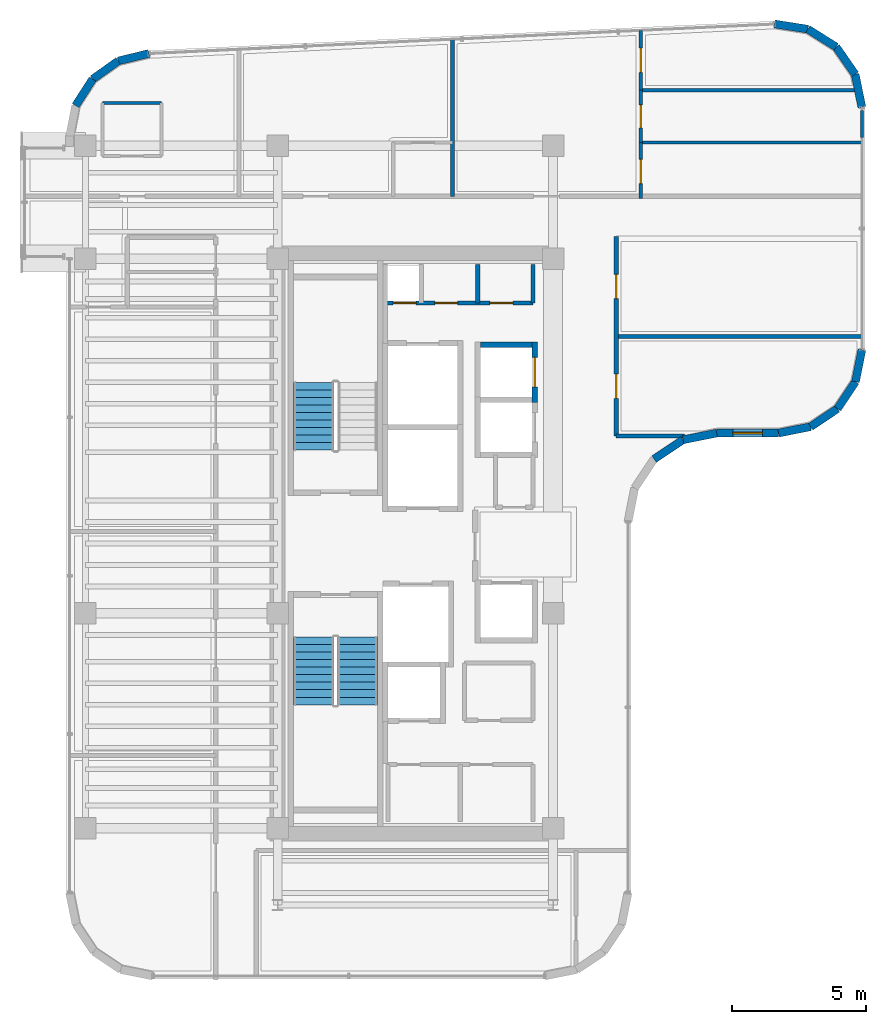
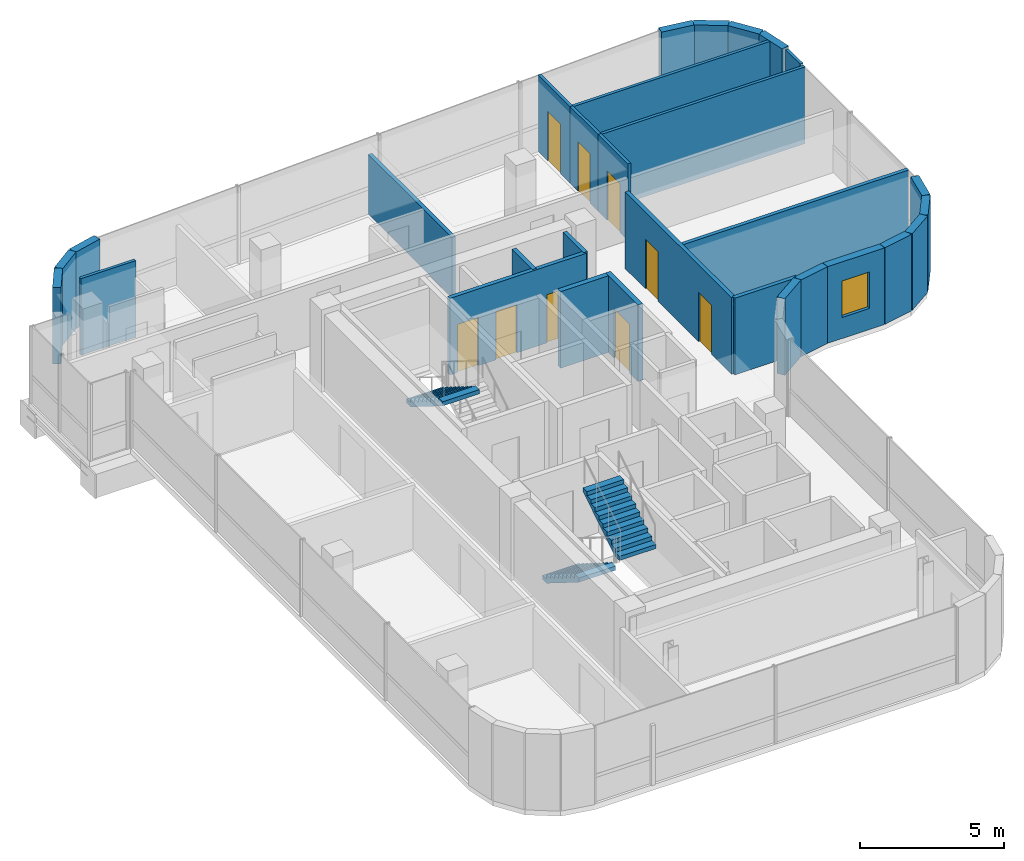
# One storey, part 18 of 21: 30 walls, 9 doors, 3 stair flights, 1 window, 10 openings, 2 elements without a shape of their own.
"""IFC4 building model written with IfcOpenShell, lengths in metres."""

import ifcopenshell
import ifcopenshell.guid

model = None  # the IFC model being written
_history = None  # IfcOwnerHistory: only IFC2X3 demands one
_inside = {}  # id of a spatial element -> (the spatial element, [elements in it])
_under = {}  # id of a project, library or spatial element -> (it, [spatial elements below it])
_declared = {}  # id of a project -> (the project, [libraries it declares])
_typed = {}  # id of a type object -> (the type object, [elements of that type])
_made_of = {}  # id of a material, layer set ... -> (it, [elements and type objects made of it])


def new_model(schema):
    """Start an empty IFC model of exactly this schema.

    Asked for "IFC4X3", IfcOpenShell would pick the latest addendum, in which some entities
    have other attributes; the version numbers below select the first issue.
    IFC2X3 requires an IfcOwnerHistory on every rooted entity: one is made here for all.
    """
    global model, _history
    if schema == "IFC4X3":
        model = ifcopenshell.file(schema_version=(4, 3, 0, 0))
    else:
        model = ifcopenshell.file(schema=schema)
    _inside.clear()
    _under.clear()
    _declared.clear()
    _typed.clear()
    _made_of.clear()
    _history = None
    if model.schema == "IFC2X3":
        org = make("IfcOrganization", Name="unknown")
        user = make(
            "IfcPersonAndOrganization",
            ThePerson=make("IfcPerson", FamilyName="unknown"),
            TheOrganization=org,
        )
        app = make(
            "IfcApplication",
            ApplicationDeveloper=org,
            Version="unknown",
            ApplicationFullName="unknown",
            ApplicationIdentifier="unknown",
        )
        _history = make(
            "IfcOwnerHistory",
            OwningUser=user,
            OwningApplication=app,
            ChangeAction="ADDED",
            CreationDate=0,
        )
    return model


def make(cls, **values):
    """One entity of the class cls with the attributes given. An attribute that is None is left unset."""
    return model.create_entity(
        cls, **{name: value for name, value in values.items() if value is not None}
    )


def rooted(cls, **values):
    """An entity with a GlobalId (a new one), such as an element, a storey or a relation."""
    return make(cls, GlobalId=ifcopenshell.guid.new(), OwnerHistory=_history, **values)


def si_unit(unit_type, name, prefix=None):
    """IfcSIUnit, for example si_unit("LENGTHUNIT", "METRE", prefix="MILLI")."""
    return make("IfcSIUnit", UnitType=unit_type, Prefix=prefix, Name=name)


def assignment(units):
    """IfcUnitAssignment: the units of a project."""
    return None if units is None else make("IfcUnitAssignment", Units=units)


def point(xyz):
    """IfcCartesianPoint."""
    return None if xyz is None else make("IfcCartesianPoint", Coordinates=xyz)


def direction(xyz):
    """IfcDirection."""
    return None if xyz is None else make("IfcDirection", DirectionRatios=xyz)


def frame(location, z_axis=None, x_axis=None):
    """IfcAxis2Placement3D, a coordinate frame: its origin and axes. An axis left out is left unset."""
    return make(
        "IfcAxis2Placement3D",
        Location=point(location),
        Axis=direction(z_axis),
        RefDirection=direction(x_axis),
    )


def frame_2d(location, x_axis=None):
    """IfcAxis2Placement2D, a coordinate frame in the plane: its origin and x axis."""
    return make(
        "IfcAxis2Placement2D", Location=point(location), RefDirection=direction(x_axis)
    )


def origin():
    """The frame at (0, 0, 0) with its axes left unset."""
    return frame((0.0, 0.0, 0.0))


def place(relative_to, where):
    """IfcLocalPlacement: puts the frame where relative to a parent placement (None: the world)."""
    return make(
        "IfcLocalPlacement", PlacementRelTo=relative_to, RelativePlacement=where
    )


def context(
    kind, dimensions, precision=None, world=None, true_north=None, identifier=None
):
    """IfcGeometricRepresentationContext, for example the 3D "Model" context."""
    return make(
        "IfcGeometricRepresentationContext",
        ContextIdentifier=identifier,
        ContextType=kind,
        CoordinateSpaceDimension=dimensions,
        Precision=precision,
        WorldCoordinateSystem=world,
        TrueNorth=true_north,
    )


def subcontext(parent, identifier, kind, view, scale=None):
    """IfcGeometricRepresentationSubContext, for example "Body" below "Model"."""
    return make(
        "IfcGeometricRepresentationSubContext",
        ContextIdentifier=identifier,
        ContextType=kind,
        ParentContext=parent,
        TargetScale=scale,
        TargetView=view,
    )


def project(units=None, contexts=None):
    """IfcProject with its units and contexts."""
    return rooted(
        "IfcProject",
        Name="project",
        RepresentationContexts=contexts,
        UnitsInContext=assignment(units),
    )


def spatial(cls, under=None, at=None, **own):
    """A site, building, storey or space (cls), placed at a placement, below another one or the project."""
    s = rooted(cls, ObjectPlacement=at, **own)
    if under is not None:
        _under.setdefault(under.id(), (under, []))[1].append(s)
    return s


def polyline(points):
    """IfcPolyline through the points."""
    return make("IfcPolyline", Points=[point(p) for p in points])


def profile(cls, at=None, kind="AREA", **sizes):
    """A parametric profile (cls). Its sizes go by their IFC names, for example OverallWidth=200.0."""
    return make(cls, ProfileType=kind, Position=at, **sizes)


def rectangle(**sizes):
    """IfcRectangleProfileDef."""
    return profile("IfcRectangleProfileDef", **sizes)


def outline(outer, holes=None, kind="AREA"):
    """IfcArbitraryClosedProfileDef: a profile drawn as a closed curve; with holes, ...WithVoids."""
    if holes is None:
        return make("IfcArbitraryClosedProfileDef", ProfileType=kind, OuterCurve=outer)
    return make(
        "IfcArbitraryProfileDefWithVoids",
        ProfileType=kind,
        OuterCurve=outer,
        InnerCurves=holes,
    )


def extrude(swept, where, along, depth):
    """IfcExtrudedAreaSolid: the profile swept, set in the frame where, extruded along a direction by depth."""
    return make(
        "IfcExtrudedAreaSolid",
        SweptArea=swept,
        Position=where,
        ExtrudedDirection=direction(along),
        Depth=depth,
    )


def shape(context_of_items, identifier, shape_type, items):
    """IfcShapeRepresentation: the items that make up one representation, for example the "Body"."""
    return make(
        "IfcShapeRepresentation",
        ContextOfItems=context_of_items,
        RepresentationIdentifier=identifier,
        RepresentationType=shape_type,
        Items=items,
    )


def material(Name=None, Category=None):
    """IfcMaterial."""
    return make("IfcMaterial", Name=Name, Category=Category)


def layer(
    of_material, thickness, ventilated=None, Name=None, Category=None, Priority=None
):
    """IfcMaterialLayer: one layer of a wall or slab, of a material (None: an air gap)."""
    return make(
        "IfcMaterialLayer",
        Material=of_material,
        LayerThickness=thickness,
        IsVentilated=ventilated,
        Name=Name,
        Category=Category,
        Priority=Priority,
    )


def layer_set(layers, Name=None):
    """IfcMaterialLayerSet."""
    return make("IfcMaterialLayerSet", MaterialLayers=layers, LayerSetName=Name)


def made_of(thing, what):
    """Note that an element or type object is made of a material, layer set ...; save() writes the relation."""
    if what is not None:
        _made_of.setdefault(what.id(), (what, []))[1].append(thing)
    return thing


def type_object(cls, material=None, **own):
    """A type object (cls), such as IfcWallType, which elements share."""
    return made_of(rooted(cls, **own), material)


def element(
    cls,
    number,
    at=None,
    inside=None,
    cuts=None,
    type_object=None,
    material=None,
    context=None,
    identifier="Body",
    shape_type=None,
    held_by="IfcProductDefinitionShape",
    body=None,
    shapes=None,
    **own,
):
    """One element of the class cls, such as IfcWall. Its Tag is "e" and its number.

    at: its placement. inside: the storey or other place that contains it. cuts: it is an
    opening in that element (IfcRelVoidsElement). A single representation is given by context,
    identifier, shape_type and body (its items); several are given by shapes. held_by: the class
    of the entity that holds the representations. save() writes the other relations.
    """
    e = rooted(cls, Tag="e%d" % number, ObjectPlacement=at, **own)
    if body is not None:
        shapes = [shape(context, identifier, shape_type, body)]
    if shapes is not None:
        e.Representation = make(held_by, Representations=shapes)
    if inside is not None:
        _inside.setdefault(inside.id(), (inside, []))[1].append(e)
    if cuts is not None:
        rooted(
            "IfcRelVoidsElement", RelatingBuildingElement=cuts, RelatedOpeningElement=e
        )
    if type_object is not None:
        _typed.setdefault(type_object.id(), (type_object, []))[1].append(e)
    return made_of(e, material)


def fill(opening, filler):
    """IfcRelFillsElement: the door or window that sits in an opening."""
    return rooted(
        "IfcRelFillsElement",
        RelatingOpeningElement=opening,
        RelatedBuildingElement=filler,
    )


def aggregate(whole, parts):
    """IfcRelAggregates: a whole, such as a stair, and the parts it consists of."""
    return rooted("IfcRelAggregates", RelatingObject=whole, RelatedObjects=parts)


def save(model, path):
    """Write the relations noted so far, then the file.

    IfcRelAggregates (storeys below a building ...), IfcRelContainedInSpatialStructure (elements
    in a storey), IfcRelDefinesByType, IfcRelAssociatesMaterial and IfcRelDeclares: one each for
    every whole, place, type object, material and project.
    """
    for whole, parts in _under.values():
        aggregate(whole, parts)
    for where, things in _inside.values():
        rooted(
            "IfcRelContainedInSpatialStructure",
            RelatedElements=things,
            RelatingStructure=where,
        )
    for kind, things in _typed.values():
        rooted("IfcRelDefinesByType", RelatedObjects=things, RelatingType=kind)
    for what, things in _made_of.values():
        rooted("IfcRelAssociatesMaterial", RelatedObjects=things, RelatingMaterial=what)
    for by, libraries in _declared.values():
        rooted("IfcRelDeclares", RelatingContext=by, RelatedDefinitions=libraries)
    model.write(path)


model = new_model("IFC4")

# Units and contexts
model_context = context("Model", 3, precision=1e-05, world=origin(), true_north=direction((0.0, 1.0)))
body_context = subcontext(model_context, "Body", "Model", "MODEL_VIEW")
ifc_project = project(units=[si_unit("LENGTHUNIT", "METRE"), si_unit("AREAUNIT", "SQUARE_METRE"), si_unit("VOLUMEUNIT", "CUBIC_METRE"), si_unit("PLANEANGLEUNIT", "RADIAN"), si_unit("MASSUNIT", "GRAM", prefix="KILO")], contexts=[model_context])

# Site, building, storey
site_placement = place(None, origin())
site = spatial("IfcSite", under=ifc_project, at=site_placement, CompositionType="ELEMENT")
building_placement = place(site_placement, origin())
building = spatial("IfcBuilding", under=site, at=building_placement, Name="Valdorenza Pilgrim Sanctuary Tower", CompositionType="ELEMENT")
storey_placement = place(building_placement, frame((0.0, 0.0, 251.0)))
storey = spatial("IfcBuildingStorey", under=building, at=storey_placement, Name="L65", CompositionType="ELEMENT", Elevation=251.0)

# Wall, openings, doors
ifc_material_1 = material(Name="Acoustic twin-stud gypsum partition", Category="gypsum")
ifc_layer_1 = layer(ifc_material_1, 0.159912109375, Name="Acoustic twin-stud gypsum partition")
ifc_layer_set_1 = layer_set([ifc_layer_1], Name="Acoustic twin-stud gypsum partition")
wall_type_1 = type_object("IfcWallType", Name="WAL-COR-160", PredefinedType="PARTITIONING", material=ifc_layer_set_1)
wall_1_placement = place(storey_placement, frame((-18.64990234375, 8.949951171875, 0.0), z_axis=(0.0, 0.0, 1.0), x_axis=(1.0, 0.0, 0.0)))
wall_1 = element("IfcWall", 1, at=wall_1_placement, inside=storey, type_object=wall_type_1, Name="L65 Core A North Service South Wall", PredefinedType="PARTITIONING", context=body_context, shape_type="SweptSolid", body=[
    extrude(rectangle(XDim=5.5, YDim=0.159912109375, at=frame_2d((2.75, 0.0))), origin(), (0.0, 0.0, 1.0), 3.260009765625),
])
opening_1_placement = place(wall_1_placement, frame((0.300048828125, 0.0, 0.0)))
opening_1 = element("IfcOpeningElement", 2, at=opening_1_placement, cuts=wall_1, Name="Opening DR-RS1", PredefinedType="OPENING", context=body_context, shape_type="SweptSolid", body=[
    extrude(rectangle(XDim=0.85009765625, YDim=2.050048828125, at=frame_2d((0.425048828125, 1.02490234375))), frame((0.0, 0.0947265625, 0.0), z_axis=(0.0, -1.0, 0.0), x_axis=(1.0, 0.0, 0.0)), (0.0, 0.0, 1.0), 0.189697265625),
])
opening_2_placement = place(wall_1_placement, frame((1.85009765625, 0.0, 0.0)))
opening_2 = element("IfcOpeningElement", 3, at=opening_2_placement, cuts=wall_1, Name="Opening DR-RS1", PredefinedType="OPENING", context=body_context, shape_type="SweptSolid", body=[
    extrude(rectangle(XDim=0.85009765625, YDim=2.050048828125, at=frame_2d((0.425048828125, 1.02490234375))), frame((0.0, 0.0947265625, 0.0), z_axis=(0.0, -1.0, 0.0), x_axis=(1.0, 0.0, 0.0)), (0.0, 0.0, 1.0), 0.189697265625),
])
opening_3_placement = place(wall_1_placement, frame((3.89990234375, 0.0, 0.0)))
opening_3 = element("IfcOpeningElement", 4, at=opening_3_placement, cuts=wall_1, Name="Opening DR-RS1", PredefinedType="OPENING", context=body_context, shape_type="SweptSolid", body=[
    extrude(rectangle(XDim=0.85009765625, YDim=2.050048828125, at=frame_2d((0.425048828125, 1.02490234375))), frame((0.0, 0.0947265625, 0.0), z_axis=(0.0, -1.0, 0.0), x_axis=(1.0, 0.0, 0.0)), (0.0, 0.0, 1.0), 0.189697265625),
])
ifc_material_2 = material(Name="Painted galvanized steel", Category="steel")
door_type_1 = type_object("IfcDoorType", Name="DR-RSR-850", OperationType="NOTDEFINED", PredefinedType="DOOR", material=ifc_material_2)
door_1_placement = place(opening_1_placement, origin())
door_1 = element("IfcDoor", 5, at=door_1_placement, inside=storey, type_object=door_type_1, Name="L65 Core Electrical and Telecom Riser Door", OperationType="SINGLE_SWING_LEFT", OverallHeight=2.050048828125, OverallWidth=0.85009765625, PredefinedType="DOOR", context=body_context, shape_type="SweptSolid", body=[
    extrude(rectangle(XDim=0.85009765625, YDim=2.050048828125, at=frame_2d((0.425048828125, 1.02490234375))), frame((0.0, 0.02490234375, 0.0), z_axis=(0.0, -1.0, 0.0), x_axis=(1.0, 0.0, 0.0)), (0.0, 0.0, 1.0), 0.050048828125),
])
fill(opening_1, door_1)
door_2_placement = place(opening_2_placement, origin())
door_2 = element("IfcDoor", 6, at=door_2_placement, inside=storey, type_object=door_type_1, Name="L65 Housekeeping and Clean Linen Room Door", OperationType="SINGLE_SWING_RIGHT", OverallHeight=2.050048828125, OverallWidth=0.85009765625, PredefinedType="DOOR", context=body_context, shape_type="SweptSolid", body=[
    extrude(rectangle(XDim=0.85009765625, YDim=2.050048828125, at=frame_2d((0.425048828125, 1.02490234375))), frame((0.0, 0.02490234375, 0.0), z_axis=(0.0, -1.0, 0.0), x_axis=(1.0, 0.0, 0.0)), (0.0, 0.0, 1.0), 0.050048828125),
])
fill(opening_2, door_2)
door_3_placement = place(opening_3_placement, origin())
door_3 = element("IfcDoor", 7, at=door_3_placement, inside=storey, type_object=door_type_1, Name="L65 Guest Ice and Vending Pantry Door", OperationType="SINGLE_SWING_LEFT", OverallHeight=2.050048828125, OverallWidth=0.85009765625, PredefinedType="DOOR", context=body_context, shape_type="SweptSolid", body=[
    extrude(rectangle(XDim=0.85009765625, YDim=2.050048828125, at=frame_2d((0.425048828125, 1.02490234375))), frame((0.0, 0.02490234375, 0.0), z_axis=(0.0, -1.0, 0.0), x_axis=(1.0, 0.0, 0.0)), (0.0, 0.0, 1.0), 0.050048828125),
])
fill(opening_3, door_3)

# Walls
for number, where, z_axis, x_axis, name in (
    (8, (-13.14990234375, 8.949951171875, 0.0), (0.0, 0.0, 1.0), (0.0, 1.0, 0.0), "L65 Core A North Service East Wall"),
    (9, (-15.199951171875, 8.949951171875, 0.0), (0.0, 0.0, 1.0), (0.0, 1.0, 0.0), "L65 Core A Housekeeping Split B"),
):
    element("IfcWall", number, at=place(storey_placement, frame(where, z_axis=z_axis, x_axis=x_axis)), inside=storey, type_object=wall_type_1, Name=name, PredefinedType="PARTITIONING", context=body_context, shape_type="SweptSolid", body=[
        extrude(rectangle(XDim=1.429931640625, YDim=0.159912109375, at=frame_2d((0.71484375, 0.0))), origin(), (0.0, 0.0, 1.0), 3.260009765625),
    ])

# Wall, openings, doors
wall_2_placement = place(storey_placement, frame((-10.050048828125, 4.0, 0.0), z_axis=(0.0, 0.0, 1.0), x_axis=(0.0, 1.0, 0.0)))
wall_2 = element("IfcWall", 10, at=wall_2_placement, inside=storey, type_object=wall_type_1, Name="L65 East Stub Corridor Wall", PredefinedType="PARTITIONING", context=body_context, shape_type="SweptSolid", body=[
    extrude(rectangle(XDim=7.419921875, YDim=0.159912109375, at=frame_2d((3.7099609375, 0.0))), origin(), (0.0, 0.0, 1.0), 3.260009765625),
])
opening_4_placement = place(wall_2_placement, frame((1.405029296875, 0.0, 0.0)))
opening_4 = element("IfcOpeningElement", 11, at=opening_4_placement, cuts=wall_2, Name="Opening DR-RM1", PredefinedType="OPENING", context=body_context, shape_type="SweptSolid", body=[
    extrude(rectangle(XDim=0.89990234375, YDim=2.10009765625, at=frame_2d((0.449951171875, 1.050048828125))), frame((0.0, 0.0947265625, 0.0), z_axis=(0.0, -1.0, 0.0), x_axis=(1.0, 0.0, 0.0)), (0.0, 0.0, 1.0), 0.189697265625),
])
opening_5_placement = place(wall_2_placement, frame((5.114990234375, 0.0, 0.0)))
opening_5 = element("IfcOpeningElement", 12, at=opening_5_placement, cuts=wall_2, Name="Opening DR-RM1", PredefinedType="OPENING", context=body_context, shape_type="SweptSolid", body=[
    extrude(rectangle(XDim=0.89990234375, YDim=2.10009765625, at=frame_2d((0.449951171875, 1.050048828125))), frame((0.0, 0.0947265625, 0.0), z_axis=(0.0, -1.0, 0.0), x_axis=(1.0, 0.0, 0.0)), (0.0, 0.0, 1.0), 0.189697265625),
])
ifc_material_3 = material(Name="Solid-core European oak timber", Category="wood")
door_type_2 = type_object("IfcDoorType", Name="DR-ROOM-900", OperationType="NOTDEFINED", PredefinedType="DOOR", material=ifc_material_3)
door_4_placement = place(opening_4_placement, frame((0.89990234375, 0.0, 0.0), z_axis=(0.0, 0.0, 1.0), x_axis=(-1.0, 0.0, 0.0)))
door_4 = element("IfcDoor", 13, at=door_4_placement, inside=storey, type_object=door_type_2, Name="L65 Sacred Art Exhibition Gallery L65-E1 Door", OperationType="SINGLE_SWING_LEFT", OverallHeight=2.10009765625, OverallWidth=0.89990234375, PredefinedType="DOOR", context=body_context, shape_type="SweptSolid", body=[
    extrude(rectangle(XDim=0.89990234375, YDim=2.10009765625, at=frame_2d((0.449951171875, 1.050048828125))), frame((0.0, 0.02490234375, 0.0), z_axis=(0.0, -1.0, 0.0), x_axis=(1.0, 0.0, 0.0)), (0.0, 0.0, 1.0), 0.050048828125),
])
fill(opening_4, door_4)
door_5_placement = place(opening_5_placement, origin())
door_5 = element("IfcDoor", 14, at=door_5_placement, inside=storey, type_object=door_type_2, Name="L65 Sacred Art Exhibition Gallery L65-E2 Door", OperationType="SINGLE_SWING_RIGHT", OverallHeight=2.10009765625, OverallWidth=0.89990234375, PredefinedType="DOOR", context=body_context, shape_type="SweptSolid", body=[
    extrude(rectangle(XDim=0.89990234375, YDim=2.10009765625, at=frame_2d((0.449951171875, 1.050048828125))), frame((0.0, 0.02490234375, 0.0), z_axis=(0.0, -1.0, 0.0), x_axis=(1.0, 0.0, 0.0)), (0.0, 0.0, 1.0), 0.050048828125),
])
fill(opening_5, door_5)

# Walls
wall_3_placement = place(storey_placement, frame((-10.050048828125, 4.0, 0.0), z_axis=(0.0, 0.0, 1.0), x_axis=(1.0, 0.0, 0.0)))
element("IfcWall", 15, at=wall_3_placement, inside=storey, type_object=wall_type_1, Name="L65 East Stub South Wall", PredefinedType="PARTITIONING", context=body_context, shape_type="SweptSolid", body=[
    extrude(rectangle(XDim=2.545654296875, YDim=0.159912109375, at=frame_2d((1.27294921875, 0.0))), origin(), (0.0, 0.0, 1.0), 3.260009765625),
])
ifc_material_4 = material(Name="Honed travertine limestone", Category="masonry")
ifc_layer_2 = layer(ifc_material_4, 0.300048828125, Name="Honed travertine limestone")
ifc_layer_set_2 = layer_set([ifc_layer_2], Name="Honed travertine limestone")
wall_type_2 = type_object("IfcWallType", Name="WAL-EXT-300", PredefinedType="SOLIDWALL", material=ifc_layer_set_2)
wall_4_placement = place(storey_placement, frame((-30.16650390625, 16.29541015625, 0.0), z_axis=(0.0, 0.0, 1.0), x_axis=(0.540842020947, 0.841124193195, 0.0)))
element("IfcWall", 16, at=wall_4_placement, inside=storey, type_object=wall_type_2, Name="L65 Rounded Wind-Corner Stone Pier 3", PredefinedType="SOLIDWALL", context=body_context, shape_type="SweptSolid", body=[
    extrude(rectangle(XDim=1.169189453125, YDim=0.300048828125, at=frame_2d((0.58447265625, 0.0))), origin(), (0.0, 0.0, 1.0), 3.260009765625),
])
wall_5_placement = place(storey_placement, frame((-29.5341796875, 17.27880859375, 0.0), z_axis=(0.0, 0.0, 1.0), x_axis=(0.81466371606, 0.579933642527, 0.0)))
element("IfcWall", 17, at=wall_5_placement, inside=storey, type_object=wall_type_2, Name="L65 Rounded Wind-Corner Stone Pier 4", PredefinedType="SOLIDWALL", context=body_context, shape_type="SweptSolid", body=[
    extrude(rectangle(XDim=1.1689453125, YDim=0.300048828125, at=frame_2d((0.58447265625, 0.0))), origin(), (0.0, 0.0, 1.0), 3.260009765625),
])
wall_6_placement = place(storey_placement, frame((-28.581787109375, 17.956787109375, 0.0), z_axis=(0.0, 0.0, 1.0), x_axis=(0.971929016595, 0.235274279725, 0.0)))
element("IfcWall", 18, at=wall_6_placement, inside=storey, type_object=wall_type_2, Name="L65 Rounded Wind-Corner Stone Pier 5", PredefinedType="SOLIDWALL", context=body_context, shape_type="SweptSolid", body=[
    extrude(rectangle(XDim=1.179931640625, YDim=0.300048828125, at=frame_2d((0.58984375, 0.0))), origin(), (0.0, 0.0, 1.0), 3.260009765625),
])
wall_7_placement = place(storey_placement, frame((-4.15673828125, 19.331787109375, 0.0), z_axis=(0.0, 0.0, 1.0), x_axis=(0.987969236552, -0.15465053387, 0.0)))
element("IfcWall", 19, at=wall_7_placement, inside=storey, type_object=wall_type_2, Name="L65 Rounded Wind-Corner Stone Pier 7", PredefinedType="SOLIDWALL", context=body_context, shape_type="SweptSolid", body=[
    extrude(rectangle(XDim=1.251953125, YDim=0.300048828125, at=frame_2d((0.6259765625, 0.0))), origin(), (0.0, 0.0, 1.0), 3.260009765625),
])
for number, where, z_axis, x_axis, name in (
    (20, (-2.919921875, 19.13818359375, 0.0), (0.0, 0.0, 1.0), (0.847489288141, -0.530812496543, 0.0), "L65 Rounded Wind-Corner Stone Pier 8"),
    (21, (-1.86865234375, 18.479736328125, 0.0), (0.0, 0.0, 1.0), (0.570181861951, -0.821518499063, 0.0), "L65 Rounded Wind-Corner Stone Pier 9"),
):
    element("IfcWall", number, at=place(storey_placement, frame(where, z_axis=z_axis, x_axis=x_axis)), inside=storey, type_object=wall_type_2, Name=name, PredefinedType="SOLIDWALL", context=body_context, shape_type="SweptSolid", body=[
        extrude(rectangle(XDim=1.240478515625, YDim=0.300048828125, at=frame_2d((0.6201171875, 0.0))), origin(), (0.0, 0.0, 1.0), 3.260009765625),
    ])
wall_8_placement = place(storey_placement, frame((-1.161376953125, 17.460693359375, 0.0), z_axis=(0.0, 0.0, 1.0), x_axis=(0.20087696073, -0.979616479367, 0.0)))
element("IfcWall", 22, at=wall_8_placement, inside=storey, type_object=wall_type_2, Name="L65 Rounded Wind-Corner Stone Pier 10", PredefinedType="SOLIDWALL", context=body_context, shape_type="SweptSolid", body=[
    extrude(rectangle(XDim=1.251953125, YDim=0.300048828125, at=frame_2d((0.6259765625, 0.0))), origin(), (0.0, 0.0, 1.0), 3.260009765625),
])
wall_9_placement = place(storey_placement, frame((-0.909912109375, 7.210693359375, 0.0), z_axis=(0.0, 0.0, 1.0), x_axis=(-0.195189223115, -0.980765602568, 0.0)))
element("IfcWall", 23, at=wall_9_placement, inside=storey, type_object=wall_type_2, Name="L65 Rounded Wind-Corner Stone Pier 12", PredefinedType="SOLIDWALL", context=body_context, shape_type="SweptSolid", body=[
    extrude(rectangle(XDim=1.2158203125, YDim=0.300048828125, at=frame_2d((0.60791015625, 0.0))), origin(), (0.0, 0.0, 1.0), 3.260009765625),
])
for number, where, z_axis, x_axis, name in (
    (24, (-1.147216796875, 6.018310546875, 0.0), (0.0, 0.0, 1.0), (-0.555635100982, -0.831426265255, 0.0), "L65 Rounded Wind-Corner Stone Pier 13"),
    (25, (-1.816650390625, 5.0166015625, 0.0), (0.0, 0.0, 1.0), (-0.831426265255, -0.555635100982, 0.0), "L65 Rounded Wind-Corner Stone Pier 14"),
):
    element("IfcWall", number, at=place(storey_placement, frame(where, z_axis=z_axis, x_axis=x_axis)), inside=storey, type_object=wall_type_2, Name=name, PredefinedType="SOLIDWALL", context=body_context, shape_type="SweptSolid", body=[
        extrude(rectangle(XDim=1.204833984375, YDim=0.300048828125, at=frame_2d((0.6025390625, 0.0))), origin(), (0.0, 0.0, 1.0), 3.260009765625),
    ])
wall_10_placement = place(storey_placement, frame((-2.818359375, 4.34716796875, 0.0), z_axis=(0.0, 0.0, 1.0), x_axis=(-0.980804027463, -0.194996050505, 0.0)))
element("IfcWall", 26, at=wall_10_placement, inside=storey, type_object=wall_type_2, Name="L65 Rounded Wind-Corner Stone Pier 15", PredefinedType="SOLIDWALL", context=body_context, shape_type="SweptSolid", body=[
    extrude(rectangle(XDim=1.2158203125, YDim=0.300048828125, at=frame_2d((0.60791015625, 0.0))), origin(), (0.0, 0.0, 1.0), 3.260009765625),
])

# Wall, opening, window
wall_11_placement = place(storey_placement, frame((-4.0107421875, 4.110107421875, 0.0), z_axis=(0.0, 0.0, 1.0), x_axis=(-1.0, 0.0, 0.0)))
wall_11 = element("IfcWall", 27, at=wall_11_placement, inside=storey, type_object=wall_type_2, Name="L65 Rounded Wind-Corner Stone Pier 16", PredefinedType="SOLIDWALL", context=body_context, shape_type="SweptSolid", body=[
    extrude(rectangle(XDim=2.300048828125, YDim=0.300048828125, at=frame_2d((1.14990234375, 0.0))), origin(), (0.0, 0.0, 1.0), 3.260009765625),
])
opening_6_placement = place(wall_11_placement, frame((0.60009765625, 0.0, 0.89990234375)))
opening_6 = element("IfcOpeningElement", 28, at=opening_6_placement, cuts=wall_11, Name="Opening WN-CR1", PredefinedType="OPENING", context=body_context, shape_type="SweptSolid", body=[
    extrude(rectangle(XDim=1.10009765625, YDim=1.550048828125, at=frame_2d((0.550048828125, 0.77490234375))), frame((0.0, 0.1650390625, 0.0), z_axis=(0.0, -1.0, 0.0), x_axis=(1.0, 0.0, 0.0)), (0.0, 0.0, 1.0), 0.329833984375),
])
ifc_material_5 = material(Name="Ceramic-fritted low-E IGU glazing", Category="glass")
window_type = type_object("IfcWindowType", Name="WIN-CRN-1200", PartitioningType="SINGLE_PANEL", PredefinedType="WINDOW", material=ifc_material_5)
window_placement = place(opening_6_placement, origin())
window = element("IfcWindow", 29, at=window_placement, inside=storey, type_object=window_type, Name="L65 Rounded Corner Slot Window 16", OverallHeight=1.550048828125, OverallWidth=1.10009765625, PartitioningType="SINGLE_PANEL", PredefinedType="WINDOW", context=body_context, shape_type="SweptSolid", body=[
    extrude(rectangle(XDim=1.10009765625, YDim=1.550048828125, at=frame_2d((0.550048828125, 0.77490234375))), frame((0.0, 0.030029296875, 0.0), z_axis=(0.0, -1.0, 0.0), x_axis=(1.0, 0.0, 0.0)), (0.0, 0.0, 1.0), 0.06005859375),
])
fill(opening_6, window)

# Walls
wall_12_placement = place(storey_placement, frame((-6.310791015625, 4.110107421875, 0.0), z_axis=(0.0, 0.0, 1.0), x_axis=(-0.980778058848, -0.195126623715, 0.0)))
element("IfcWall", 30, at=wall_12_placement, inside=storey, type_object=wall_type_2, Name="L65 Rounded Wind-Corner Stone Pier 17", PredefinedType="SOLIDWALL", context=body_context, shape_type="SweptSolid", body=[
    extrude(rectangle(XDim=1.28125, YDim=0.300048828125, at=frame_2d((0.640625, 0.0))), origin(), (0.0, 0.0, 1.0), 3.260009765625),
])
wall_13_placement = place(storey_placement, frame((-7.5673828125, 3.860107421875, 0.0), z_axis=(0.0, 0.0, 1.0), x_axis=(-0.831497739511, -0.555528135371, 0.0)))
element("IfcWall", 31, at=wall_13_placement, inside=storey, type_object=wall_type_2, Name="L65 Rounded Wind-Corner Stone Pier 18", PredefinedType="SOLIDWALL", context=body_context, shape_type="SweptSolid", body=[
    extrude(rectangle(XDim=1.29248046875, YDim=0.300048828125, at=frame_2d((0.646240234375, 0.0))), origin(), (0.0, 0.0, 1.0), 3.260009765625),
])
ifc_material_6 = material(Name="Moisture-resistant gypsum partition", Category="gypsum")
ifc_layer_3 = layer(ifc_material_6, 0.1201171875, Name="Moisture-resistant gypsum partition")
ifc_layer_set_3 = layer_set([ifc_layer_3], Name="Moisture-resistant gypsum partition")
wall_type_3 = type_object("IfcWallType", Name="WAL-INT-120", PredefinedType="PARTITIONING", material=ifc_layer_set_3)
wall_14_placement = place(storey_placement, frame((-29.16748046875, 16.389892578125, 0.0), z_axis=(0.0, 0.0, 1.0), x_axis=(1.0, 0.0, 0.0)))
element("IfcWall", 32, at=wall_14_placement, inside=storey, type_object=wall_type_3, Name="L65 North Sanctuary Guest Room L65-N1A En-suite Back Wall", PredefinedType="PARTITIONING", context=body_context, shape_type="SweptSolid", body=[
    extrude(rectangle(XDim=2.199951171875, YDim=0.1201171875, at=frame_2d((1.10009765625, 0.0))), origin(), (0.0, 0.0, 1.0), 3.260009765625),
])
wall_15_placement = place(storey_placement, frame((-9.1396484375, 14.919921875, 0.0), z_axis=(0.0, 0.0, 1.0), x_axis=(1.0, 0.0, 0.0)))
element("IfcWall", 33, at=wall_15_placement, inside=storey, type_object=wall_type_3, Name="L65 North Sanctuary Apartment L65-N2 Bath-Kitchen Wall", PredefinedType="PARTITIONING", context=body_context, shape_type="SweptSolid", body=[
    extrude(rectangle(XDim=8.229736328125, YDim=0.1201171875, at=frame_2d((4.11474609375, 0.0))), origin(), (0.0, 0.0, 1.0), 3.260009765625),
])
wall_16_placement = place(storey_placement, frame((-9.1396484375, 16.8701171875, 0.0), z_axis=(0.0, 0.0, 1.0), x_axis=(1.0, 0.0, 0.0)))
element("IfcWall", 34, at=wall_16_placement, inside=storey, type_object=wall_type_3, Name="L65 North Sanctuary Apartment L65-N2 Kitchen-Bedroom Wall", PredefinedType="PARTITIONING", context=body_context, shape_type="SweptSolid", body=[
    extrude(rectangle(XDim=7.9716796875, YDim=0.1201171875, at=frame_2d((3.98583984375, 0.0))), origin(), (0.0, 0.0, 1.0), 3.260009765625),
])

# Wall, opening, door
wall_17_placement = place(storey_placement, frame((-9.1396484375, 14.919921875, 0.0), z_axis=(0.0, 0.0, 1.0), x_axis=(0.0, 1.0, 0.0)))
wall_17 = element("IfcWall", 35, at=wall_17_placement, inside=storey, type_object=wall_type_3, Name="L65 North Sanctuary Apartment L65-N2 Bathroom Door Wall", PredefinedType="PARTITIONING", context=body_context, shape_type="SweptSolid", body=[
    extrude(rectangle(XDim=1.9501953125, YDim=0.1201171875, at=frame_2d((0.97509765625, 0.0))), origin(), (0.0, 0.0, 1.0), 3.260009765625),
])
opening_7_placement = place(wall_17_placement, frame((0.550048828125, 0.0, 0.0)))
opening_7 = element("IfcOpeningElement", 36, at=opening_7_placement, cuts=wall_17, Name="Opening DR-WC1", PredefinedType="OPENING", context=body_context, shape_type="SweptSolid", body=[
    extrude(rectangle(XDim=0.85009765625, YDim=2.10009765625, at=frame_2d((0.425048828125, 1.050048828125))), frame((0.0, 0.074951171875, 0.0), z_axis=(0.0, -1.0, 0.0), x_axis=(1.0, 0.0, 0.0)), (0.0, 0.0, 1.0), 0.14990234375),
])
ifc_material_7 = material(Name="Moisture-resistant lacquered timber", Category="wood")
door_type_3 = type_object("IfcDoorType", Name="DR-BATH-850", OperationType="NOTDEFINED", PredefinedType="DOOR", material=ifc_material_7)
door_6_placement = place(opening_7_placement, origin())
door_6 = element("IfcDoor", 37, at=door_6_placement, inside=storey, type_object=door_type_3, Name="L65 North Sanctuary Apartment L65-N2 Bathroom Door", OperationType="SINGLE_SWING_RIGHT", OverallHeight=2.10009765625, OverallWidth=0.85009765625, PredefinedType="DOOR", context=body_context, shape_type="SweptSolid", body=[
    extrude(rectangle(XDim=0.85009765625, YDim=2.10009765625, at=frame_2d((0.425048828125, 1.050048828125))), frame((0.0, 0.02490234375, 0.0), z_axis=(0.0, -1.0, 0.0), x_axis=(1.0, 0.0, 0.0)), (0.0, 0.0, 1.0), 0.050048828125),
])
fill(opening_7, door_6)

wall_18_placement = place(storey_placement, frame((-9.1396484375, 12.840087890625, 0.0), z_axis=(0.0, 0.0, 1.0), x_axis=(0.0, 1.0, 0.0)))
wall_18 = element("IfcWall", 38, at=wall_18_placement, inside=storey, type_object=wall_type_3, Name="L65 North Sanctuary Apartment L65-N2 Kitchen Door Wall", PredefinedType="PARTITIONING", context=body_context, shape_type="SweptSolid", body=[
    extrude(rectangle(XDim=2.079833984375, YDim=0.1201171875, at=frame_2d((1.0400390625, 0.0))), origin(), (0.0, 0.0, 1.0), 3.260009765625),
])
opening_8_placement = place(wall_18_placement, frame((0.550048828125, 0.0, 0.0)))
opening_8 = element("IfcOpeningElement", 39, at=opening_8_placement, cuts=wall_18, Name="Opening DR-RM1", PredefinedType="OPENING", context=body_context, shape_type="SweptSolid", body=[
    extrude(rectangle(XDim=0.89990234375, YDim=2.10009765625, at=frame_2d((0.449951171875, 1.050048828125))), frame((0.0, 0.074951171875, 0.0), z_axis=(0.0, -1.0, 0.0), x_axis=(1.0, 0.0, 0.0)), (0.0, 0.0, 1.0), 0.14990234375),
])
door_7_placement = place(opening_8_placement, origin())
door_7 = element("IfcDoor", 40, at=door_7_placement, inside=storey, type_object=door_type_2, Name="L65 North Sanctuary Apartment L65-N2 Kitchen Door", OperationType="SINGLE_SWING_LEFT", OverallHeight=2.10009765625, OverallWidth=0.89990234375, PredefinedType="DOOR", context=body_context, shape_type="SweptSolid", body=[
    extrude(rectangle(XDim=0.89990234375, YDim=2.10009765625, at=frame_2d((0.449951171875, 1.050048828125))), frame((0.0, 0.02490234375, 0.0), z_axis=(0.0, -1.0, 0.0), x_axis=(1.0, 0.0, 0.0)), (0.0, 0.0, 1.0), 0.050048828125),
])
fill(opening_8, door_7)

wall_19_placement = place(storey_placement, frame((-9.1396484375, 16.8701171875, 0.0), z_axis=(0.0, 0.0, 1.0), x_axis=(0.0, 1.0, 0.0)))
wall_19 = element("IfcWall", 41, at=wall_19_placement, inside=storey, type_object=wall_type_3, Name="L65 North Sanctuary Apartment L65-N2 Bedroom Door Wall", PredefinedType="PARTITIONING", context=body_context, shape_type="SweptSolid", body=[
    extrude(rectangle(XDim=2.2265625, YDim=0.1201171875, at=frame_2d((1.11328125, 0.0))), origin(), (0.0, 0.0, 1.0), 3.260009765625),
])
opening_9_placement = place(wall_19_placement, frame((0.6630859375, 0.0, 0.0)))
opening_9 = element("IfcOpeningElement", 42, at=opening_9_placement, cuts=wall_19, Name="Opening DR-RM1", PredefinedType="OPENING", context=body_context, shape_type="SweptSolid", body=[
    extrude(rectangle(XDim=0.89990234375, YDim=2.10009765625, at=frame_2d((0.449951171875, 1.050048828125))), frame((0.0, 0.074951171875, 0.0), z_axis=(0.0, -1.0, 0.0), x_axis=(1.0, 0.0, 0.0)), (0.0, 0.0, 1.0), 0.14990234375),
])
door_8_placement = place(opening_9_placement, origin())
door_8 = element("IfcDoor", 43, at=door_8_placement, inside=storey, type_object=door_type_2, Name="L65 North Sanctuary Apartment L65-N2 Bedroom Door", OperationType="SINGLE_SWING_RIGHT", OverallHeight=2.10009765625, OverallWidth=0.89990234375, PredefinedType="DOOR", context=body_context, shape_type="SweptSolid", body=[
    extrude(rectangle(XDim=0.89990234375, YDim=2.10009765625, at=frame_2d((0.449951171875, 1.050048828125))), frame((0.0, 0.02490234375, 0.0), z_axis=(0.0, -1.0, 0.0), x_axis=(1.0, 0.0, 0.0)), (0.0, 0.0, 1.0), 0.050048828125),
])
fill(opening_9, door_8)

# Wall
wall_20_placement = place(storey_placement, frame((-0.909912109375, 15.10009765625, 0.0), z_axis=(0.0, 0.0, 1.0), x_axis=(0.0, 1.0, 0.0)))
element("IfcWall", 44, at=wall_20_placement, inside=storey, type_object=wall_type_3, Name="L65 NW-AP2-BTH Enclosure Wall E", PredefinedType="PARTITIONING", context=body_context, shape_type="SweptSolid", body=[
    extrude(rectangle(XDim=1.01171875, YDim=0.1201171875, at=frame_2d((0.505859375, 0.0))), origin(), (0.0, 0.0, 1.0), 3.260009765625),
])

# Wall, opening, door
ifc_material_8 = material(Name="Autoclaved aerated concrete blockwork", Category="masonry")
ifc_layer_4 = layer(ifc_material_8, 0.199951171875, Name="Autoclaved aerated concrete blockwork")
ifc_layer_set_4 = layer_set([ifc_layer_4], Name="Autoclaved aerated concrete blockwork")
wall_type_4 = type_object("IfcWallType", Name="WAL-SHF-200", PredefinedType="MOVABLE", material=ifc_layer_set_4)
wall_21_placement = place(storey_placement, frame((-13.080078125, 5.25, 0.0), z_axis=(0.0, 0.0, 1.0), x_axis=(0.0, 1.0, 0.0)))
wall_21 = element("IfcWall", 45, at=wall_21_placement, inside=storey, type_object=wall_type_4, Name="L65 Lift PL-10 Hoistway Wall East", PredefinedType="MOVABLE", context=body_context, shape_type="SweptSolid", body=[
    extrude(rectangle(XDim=2.25, YDim=0.199951171875, at=frame_2d((1.125, 0.0))), origin(), (0.0, 0.0, 1.0), 3.260009765625),
])
opening_10_placement = place(wall_21_placement, frame((0.574951171875, 0.0, 0.0)))
opening_10 = element("IfcOpeningElement", 46, at=opening_10_placement, cuts=wall_21, Name="Opening LD-01", PredefinedType="OPENING", context=body_context, shape_type="SweptSolid", body=[
    extrude(rectangle(XDim=1.10009765625, YDim=2.10009765625, at=frame_2d((0.550048828125, 1.050048828125))), frame((0.0, 0.11474609375, 0.0), z_axis=(0.0, -1.0, 0.0), x_axis=(1.0, 0.0, 0.0)), (0.0, 0.0, 1.0), 0.229736328125),
])
ifc_material_9 = material(Name="Brushed stainless steel Grade 316", Category="steel")
door_type_4 = type_object("IfcDoorType", Name="DR-LFT-1100", OperationType="DOUBLE_DOOR_SLIDING", PredefinedType="DOOR", material=ifc_material_9)
door_9_placement = place(opening_10_placement, origin())
door_9 = element("IfcDoor", 47, at=door_9_placement, inside=storey, type_object=door_type_4, Name="L65 Lift PL-10 Sliding Landing Door", OperationType="DOUBLE_DOOR_SLIDING", OverallHeight=2.10009765625, OverallWidth=1.10009765625, PredefinedType="DOOR", context=body_context, shape_type="SweptSolid", body=[
    extrude(rectangle(XDim=1.10009765625, YDim=2.10009765625, at=frame_2d((0.550048828125, 1.050048828125))), frame((0.0, 0.02490234375, 0.0), z_axis=(0.0, -1.0, 0.0), x_axis=(1.0, 0.0, 0.0)), (0.0, 0.0, 1.0), 0.050048828125),
])
fill(opening_10, door_9)

# Walls
wall_22_placement = place(storey_placement, frame((-15.10009765625, 7.39990234375, 0.0), z_axis=(0.0, 0.0, 1.0), x_axis=(1.0, 0.0, 0.0)))
element("IfcWall", 48, at=wall_22_placement, inside=storey, type_object=wall_type_4, Name="L65 Lift PL-10 Hoistway Wall North", PredefinedType="MOVABLE", context=body_context, shape_type="SweptSolid", body=[
    extrude(rectangle(XDim=1.920166015625, YDim=0.199951171875, at=frame_2d((0.9599609375, 0.0))), origin(), (0.0, 0.0, 1.0), 3.260009765625),
])
ifc_layer_5 = layer(ifc_material_1, 0.14990234375, Name="Acoustic twin-stud gypsum partition")
ifc_layer_set_5 = layer_set([ifc_layer_5], Name="Acoustic twin-stud gypsum partition")
wall_type_5 = type_object("IfcWallType", Name="WAL-UNT-150", PredefinedType="PARTITIONING", material=ifc_layer_set_5)
wall_23_placement = place(storey_placement, frame((-16.14990234375, 12.919921875, 0.0), z_axis=(0.0, 0.0, 1.0), x_axis=(0.0, 1.0, 0.0)))
element("IfcWall", 49, at=wall_23_placement, inside=storey, type_object=wall_type_5, Name="L65 North Apt Demising 1", PredefinedType="PARTITIONING", context=body_context, shape_type="SweptSolid", body=[
    extrude(rectangle(XDim=5.846435546875, YDim=0.14990234375, at=frame_2d((2.92333984375, 0.0))), origin(), (0.0, 0.0, 1.0), 2.5439453125),
])
wall_24_placement = place(storey_placement, frame((-10.050048828125, 7.7099609375, 0.0), z_axis=(0.0, 0.0, 1.0), x_axis=(1.0, 0.0, 0.0)))
element("IfcWall", 50, at=wall_24_placement, inside=storey, type_object=wall_type_5, Name="L65 Sacred Art Exhibition Gallery L65-E2 Demising Wall", PredefinedType="PARTITIONING", context=body_context, shape_type="SweptSolid", body=[
    extrude(rectangle(XDim=9.14013671875, YDim=0.14990234375, at=frame_2d((4.570068359375, 0.0))), origin(), (0.0, 0.0, 1.0), 3.260009765625),
])

# Stair, stair flight
ifc_material_10 = material(Name="Concrete C40/50", Category="concrete")
stair_type = type_object("IfcStairType", Name="STR-DOG-CORE", PredefinedType="HALF_TURN_STAIR", material=ifc_material_10)
stair_1_placement = place(storey_placement, origin())
stair_1 = element("IfcStair", 51, at=stair_1_placement, inside=storey, type_object=stair_type, Name="L65 ST-A1", PredefinedType="HALF_TURN_STAIR")
stair_flight_type = type_object("IfcStairFlightType", Name="STF-RC-1400", PredefinedType="STRAIGHT", material=ifc_material_10)
stair_flight_1_placement = place(storey_placement, frame((-21.31005859375, 6.0, 1.75), z_axis=(0.0, 0.0, 1.0), x_axis=(0.0, -1.0, 0.0)))
stair_flight_1 = element("IfcStairFlight", 52, at=stair_flight_1_placement, type_object=stair_flight_type, Name="ST-A1 flight 2", NumberOfRisers=10, NumberOfTreads=9, PredefinedType="STRAIGHT", RiserHeight=0.175, TreadLength=0.28, context=body_context, shape_type="SweptSolid", body=[
    extrude(outline(polyline([(0.0, 0.0), (0.0, 0.175048828125), (0.280029296875, 0.175048828125), (0.280029296875, 0.35009765625), (0.56005859375, 0.35009765625), (0.56005859375, 0.52490234375), (0.840087890625, 0.52490234375), (0.840087890625, 0.699951171875), (1.1201171875, 0.699951171875), (1.1201171875, 0.875), (1.39990234375, 0.875), (1.39990234375, 1.050048828125), (1.679931640625, 1.050048828125), (1.679931640625, 1.22509765625), (1.9599609375, 1.22509765625), (1.9599609375, 1.39990234375), (2.239990234375, 1.39990234375), (2.239990234375, 1.574951171875), (2.52001953125, 1.574951171875), (2.52001953125, 1.75), (2.52001953125, 1.398193359375), (0.28271484375, 0.0), (0.0, 0.0)])), frame((0.0, 0.739990234375, 0.0), z_axis=(0.0, -1.0, 0.0), x_axis=(1.0, 0.0, 0.0)), (0.0, 0.0, 1.0), 1.47998046875),
])
aggregate(stair_1, [stair_flight_1])

# Stair, stair flights
stair_2_placement = place(storey_placement, origin())
stair_2 = element("IfcStair", 53, at=stair_2_placement, inside=storey, type_object=stair_type, Name="L65 ST-A2", PredefinedType="HALF_TURN_STAIR")
stair_flight_2_placement = place(storey_placement, frame((-21.31005859375, -3.47998046875, 0.0), z_axis=(0.0, 0.0, 1.0), x_axis=(0.0, -1.0, 0.0)))
stair_flight_2 = element("IfcStairFlight", 54, at=stair_flight_2_placement, type_object=stair_flight_type, Name="ST-A2 flight 1", NumberOfRisers=10, NumberOfTreads=9, PredefinedType="STRAIGHT", RiserHeight=0.175, TreadLength=0.28, context=body_context, shape_type="SweptSolid", body=[
    extrude(outline(polyline([(0.0, 0.0), (0.0, 0.175048828125), (0.280029296875, 0.175048828125), (0.280029296875, 0.35009765625), (0.56005859375, 0.35009765625), (0.56005859375, 0.52490234375), (0.840087890625, 0.52490234375), (0.840087890625, 0.699951171875), (1.1201171875, 0.699951171875), (1.1201171875, 0.875), (1.39990234375, 0.875), (1.39990234375, 1.050048828125), (1.679931640625, 1.050048828125), (1.679931640625, 1.22509765625), (1.9599609375, 1.22509765625), (1.9599609375, 1.39990234375), (2.239990234375, 1.39990234375), (2.239990234375, 1.574951171875), (2.52001953125, 1.574951171875), (2.52001953125, 1.75), (2.52001953125, 1.398193359375), (0.28271484375, 0.0), (0.0, 0.0)])), frame((0.0, 0.739990234375, 0.0), z_axis=(0.0, -1.0, 0.0), x_axis=(1.0, 0.0, 0.0)), (0.0, 0.0, 1.0), 1.47998046875),
])
stair_flight_3_placement = place(storey_placement, frame((-19.679931640625, -6.0, 1.75), z_axis=(0.0, 0.0, 1.0), x_axis=(0.0, 1.0, 0.0)))
stair_flight_3 = element("IfcStairFlight", 55, at=stair_flight_3_placement, type_object=stair_flight_type, Name="ST-A2 flight 2", NumberOfRisers=10, NumberOfTreads=9, PredefinedType="STRAIGHT", RiserHeight=0.175, TreadLength=0.28, context=body_context, shape_type="SweptSolid", body=[
    extrude(outline(polyline([(0.0, 0.0), (0.0, 0.175048828125), (0.280029296875, 0.175048828125), (0.280029296875, 0.35009765625), (0.56005859375, 0.35009765625), (0.56005859375, 0.52490234375), (0.840087890625, 0.52490234375), (0.840087890625, 0.699951171875), (1.1201171875, 0.699951171875), (1.1201171875, 0.875), (1.39990234375, 0.875), (1.39990234375, 1.050048828125), (1.679931640625, 1.050048828125), (1.679931640625, 1.22509765625), (1.9599609375, 1.22509765625), (1.9599609375, 1.39990234375), (2.239990234375, 1.39990234375), (2.239990234375, 1.574951171875), (2.52001953125, 1.574951171875), (2.52001953125, 1.75), (2.52001953125, 1.398193359375), (0.28271484375, 0.0), (0.0, 0.0)])), frame((0.0, 0.739990234375, 0.0), z_axis=(0.0, -1.0, 0.0), x_axis=(1.0, 0.0, 0.0)), (0.0, 0.0, 1.0), 1.47998046875),
])
aggregate(stair_2, [stair_flight_2, stair_flight_3])

save(model, "model.ifc")
